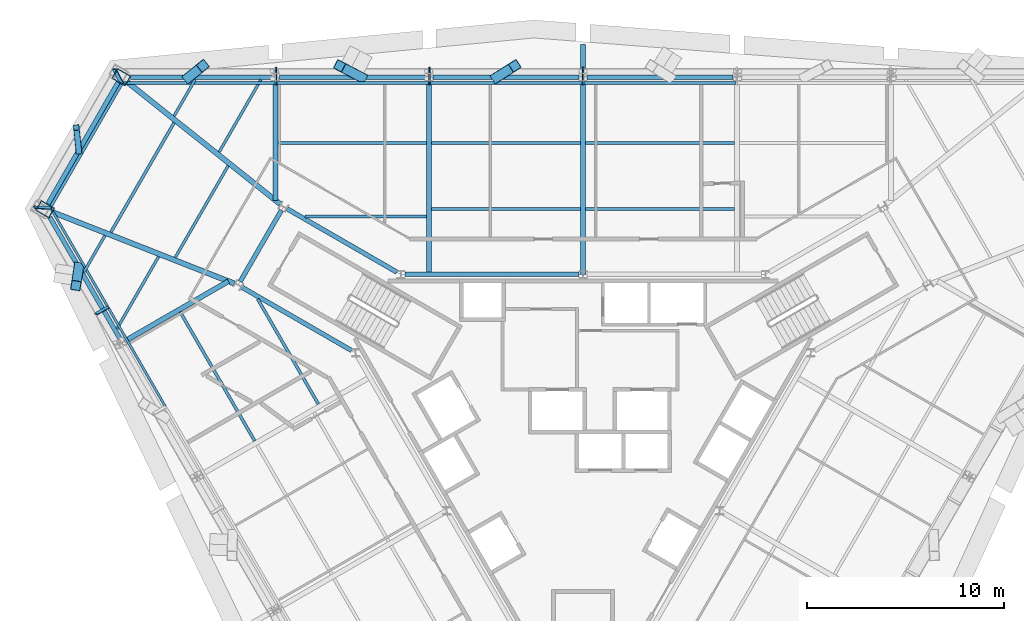
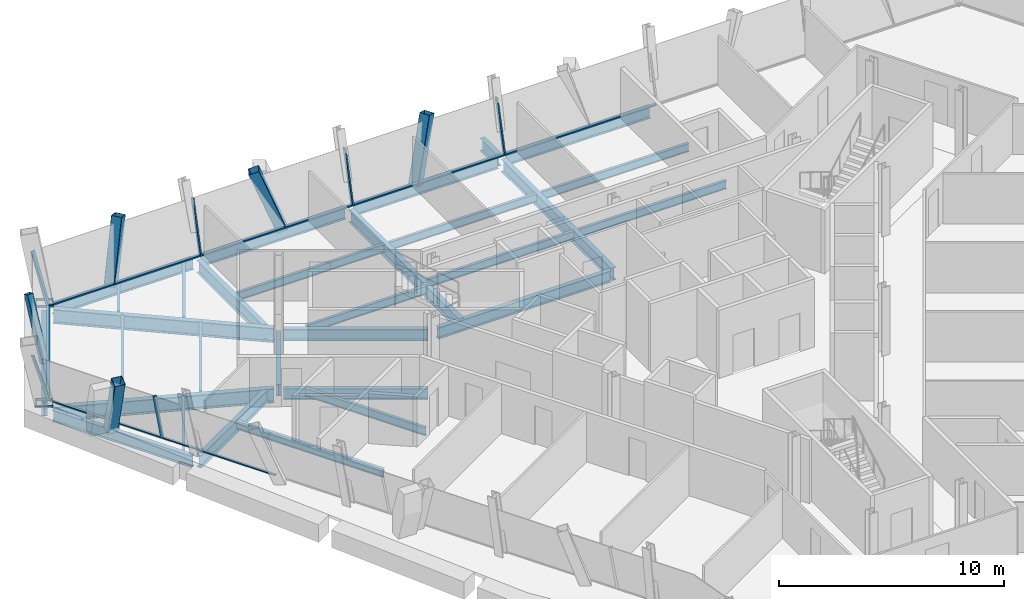
# One storey, part 4 of 12: 31 beams, 20 members, 3 elements without a shape of their own.
"""IFC4 building model written with IfcOpenShell, lengths in metres."""

from ifc_helpers import new_model, si_unit, direction, frame, origin, origin_2d, place, context, subcontext, project, spatial, rectangle, hollow_rectangle, i_section, extrude, material, material_profile, profile_set, type_object, element, aggregate, save


model = new_model("IFC4")

# Units and contexts
model_context = context("Model", 3, precision=1e-05, world=origin(), true_north=direction((0.0, 1.0)))
body_context = subcontext(model_context, "Body", "Model", "MODEL_VIEW")
ifc_project = project(units=[si_unit("LENGTHUNIT", "METRE"), si_unit("AREAUNIT", "SQUARE_METRE"), si_unit("VOLUMEUNIT", "CUBIC_METRE"), si_unit("PLANEANGLEUNIT", "RADIAN"), si_unit("MASSUNIT", "GRAM", prefix="KILO")], contexts=[model_context])

# Site, building, storey
site_placement = place(None, origin())
site = spatial("IfcSite", under=ifc_project, at=site_placement, CompositionType="ELEMENT")
building_placement = place(site_placement, origin())
building = spatial("IfcBuilding", under=site, at=building_placement, Name="Verrane Prism Tower", CompositionType="ELEMENT")
storey_placement = place(building_placement, frame((0.0, 0.0, 185.800048828125)))
storey = spatial("IfcBuildingStorey", under=building, at=storey_placement, Name="L46", CompositionType="ELEMENT", Elevation=185.800048828125)

# Member
ifc_material_1 = material(Name="Steel A500 Grade C", Category="steel")
ifc_material_profile_1 = material_profile(ifc_material_1, hollow_rectangle(XDim=0.3046875, YDim=0.3046875, WallThickness=0.0126953125, InnerFilletRadius=0.00634765625, OuterFilletRadius=0.01904296875, at=origin_2d()), Name="HSS12x12x1/2")
ifc_profile_set_1 = profile_set([ifc_material_profile_1], Name="Steel A500 Grade C")
member_type_1 = type_object("IfcMemberType", Name="Chamfer brace HSS12x12x1/2", PredefinedType="BRACE", material=ifc_profile_set_1)
member_1_placement = place(storey_placement, frame((-25.614990234375, 14.26171875, -0.24267578125), z_axis=(-0.036408998978, 0.358961961758, 0.932641782682), x_axis=(-0.994895474437, -0.100910826693, 0.0)))
element("IfcMember", 1, at=member_1_placement, inside=storey, type_object=member_type_1, Name="Chamfer brace NW0 L46", PredefinedType="BRACE", context=body_context, shape_type="SweptSolid", body=[
    extrude(hollow_rectangle(XDim=0.3046875, YDim=0.3046875, WallThickness=0.0126953125, InnerFilletRadius=0.00634765625, OuterFilletRadius=0.01904296875, at=origin_2d()), origin(), (0.0, 0.0, 1.0), 3.33251953125),
])

# Beams
ifc_material_2 = material(Name="Steel A992", Category="steel")
ifc_material_profile_2 = material_profile(ifc_material_2, i_section(OverallWidth=0.2666015625, OverallDepth=0.7568359375, WebThickness=0.013916015625, FlangeThickness=0.019287109375, FilletRadius=0.0166015625, at=origin_2d()), Name="W30x108")
ifc_profile_set_2 = profile_set([ifc_material_profile_2], Name="Steel A992")
beam_type_1 = type_object("IfcBeamType", Name="Chamfer spandrel beam W30x108", PredefinedType="SPANDREL", material=ifc_profile_set_2)
beam_1_placement = place(storey_placement, frame((-23.60009765625, 17.750244140625, -0.53857421875), z_axis=(-0.500163614961, -0.865930920033, 0.0), x_axis=(0.865930920033, -0.500163614961, 0.0)))
element("IfcBeam", 2, at=beam_1_placement, inside=storey, type_object=beam_type_1, Name="Chamfer spandrel beam L46", PredefinedType="SPANDREL", context=body_context, shape_type="SweptSolid", body=[
    extrude(i_section(OverallWidth=0.2666015625, OverallDepth=0.7568359375, WebThickness=0.013916015625, FlangeThickness=0.019287109375, FilletRadius=0.0166015625, at=origin_2d()), origin(), (0.0, 0.0, 1.0), 7.13720703125),
])
ifc_material_3 = material(Name="Steel A992", Category="steel")
ifc_material_profile_3 = material_profile(ifc_material_3, i_section(OverallWidth=0.23046875, OverallDepth=0.6171875, WebThickness=0.01318359375, FlangeThickness=0.022216796875, FilletRadius=0.012939453125, at=origin_2d()), Name="W24x94")
ifc_profile_set_3 = profile_set([ifc_material_profile_3], Name="Steel A992")
beam_type_2 = type_object("IfcBeamType", Name="Core ring girder W24x94", PredefinedType="BEAM", material=ifc_profile_set_3)
beam_2_placement = place(storey_placement, frame((-0.20068359375, 8.0, -0.55859375), z_axis=(-1.0, 0.0, 0.0), x_axis=(0.0, -1.0, 0.0)))
element("IfcBeam", 3, at=beam_2_placement, inside=storey, type_object=beam_type_2, Name="Core ring girder L46", PredefinedType="BEAM", context=body_context, shape_type="SweptSolid", body=[
    extrude(i_section(OverallWidth=0.23046875, OverallDepth=0.6171875, WebThickness=0.01318359375, FlangeThickness=0.022216796875, FilletRadius=0.012939453125, at=origin_2d()), origin(), (0.0, 0.0, 1.0), 8.858642578125),
])
beam_3_placement = place(storey_placement, frame((-9.460693359375, 8.11572265625, -0.55859375), z_axis=(-0.866075143088, 0.499913839102, 0.0), x_axis=(-0.499913839102, -0.866075143088, 0.0)))
element("IfcBeam", 4, at=beam_3_placement, inside=storey, type_object=beam_type_2, Name="Core ring girder L46", PredefinedType="BEAM", context=body_context, shape_type="SweptSolid", body=[
    extrude(i_section(OverallWidth=0.23046875, OverallDepth=0.6171875, WebThickness=0.01318359375, FlangeThickness=0.022216796875, FilletRadius=0.012939453125, at=origin_2d()), origin(), (0.0, 0.0, 1.0), 6.441650390625),
])
beam_4_placement = place(storey_placement, frame((-15.32177734375, 11.26416015625, -0.55859375), z_axis=(-0.500305747711, -0.865848808284, 0.0), x_axis=(0.865848808284, -0.500305747711, 0.0)))
element("IfcBeam", 5, at=beam_4_placement, inside=storey, type_object=beam_type_2, Name="Core ring girder L46", PredefinedType="BEAM", context=body_context, shape_type="SweptSolid", body=[
    extrude(i_section(OverallWidth=0.23046875, OverallDepth=0.6171875, WebThickness=0.01318359375, FlangeThickness=0.022216796875, FilletRadius=0.012939453125, at=origin_2d()), origin(), (0.0, 0.0, 1.0), 4.1904296875),
])
beam_5_placement = place(storey_placement, frame((-17.339599609375, 7.35595703125, -0.55859375), z_axis=(0.866075143088, -0.499913839102, 0.0), x_axis=(0.499913839102, 0.866075143088, 0.0)))
element("IfcBeam", 6, at=beam_5_placement, inside=storey, type_object=beam_type_2, Name="Core ring girder L46", PredefinedType="BEAM", context=body_context, shape_type="SweptSolid", body=[
    extrude(i_section(OverallWidth=0.23046875, OverallDepth=0.6171875, WebThickness=0.01318359375, FlangeThickness=0.022216796875, FilletRadius=0.012939453125, at=origin_2d()), origin(), (0.0, 0.0, 1.0), 6.441650390625),
])
ifc_material_4 = material(Name="Steel A992", Category="steel")
ifc_material_profile_4 = material_profile(ifc_material_4, i_section(OverallWidth=0.2666015625, OverallDepth=0.76708984375, WebThickness=0.014892578125, FlangeThickness=0.023681640625, FilletRadius=0.0166015625, at=origin_2d()), Name="W30x124")
ifc_profile_set_4 = profile_set([ifc_material_profile_4], Name="Steel A992")
beam_type_3 = type_object("IfcBeamType", Name="Corner girder W30x124", PredefinedType="BEAM", material=ifc_profile_set_4)
beam_6_placement = place(storey_placement, frame((-23.1337890625, 17.757568359375, -0.603515625), z_axis=(0.781514558867, -0.623887004415, 0.0), x_axis=(0.623887004415, 0.781514558867, 0.0)))
element("IfcBeam", 7, at=beam_6_placement, inside=storey, type_object=beam_type_3, Name="Corner girder L46", PredefinedType="BEAM", context=body_context, shape_type="SweptSolid", body=[
    extrude(i_section(OverallWidth=0.2666015625, OverallDepth=0.76708984375, WebThickness=0.014892578125, FlangeThickness=0.023681640625, FilletRadius=0.0166015625, at=origin_2d()), origin(), (0.0, 0.0, 1.0), 9.915771484375),
])
beam_7_placement = place(storey_placement, frame((-26.943603515625, 11.162109375, -0.603515625), z_axis=(0.930755085218, -0.365643229583, 0.0), x_axis=(0.365643229583, 0.930755085218, 0.0)))
element("IfcBeam", 8, at=beam_7_placement, inside=storey, type_object=beam_type_3, Name="Corner girder L46", PredefinedType="BEAM", context=body_context, shape_type="SweptSolid", body=[
    extrude(i_section(OverallWidth=0.2666015625, OverallDepth=0.76708984375, WebThickness=0.014892578125, FlangeThickness=0.023681640625, FilletRadius=0.0166015625, at=origin_2d()), origin(), (0.0, 0.0, 1.0), 9.9140625),
])

# Members
ifc_material_5 = material(Name="Steel A500 Grade C", Category="steel")
ifc_material_profile_5 = material_profile(ifc_material_5, hollow_rectangle(XDim=0.508056640625, YDim=0.508056640625, WallThickness=0.01904296875, InnerFilletRadius=0.009521484375, OuterFilletRadius=0.028564453125, at=origin_2d()), Name="HSS20x20x3/4")
ifc_profile_set_5 = profile_set([ifc_material_profile_5], Name="Steel A500 Grade C")
member_type_2 = type_object("IfcMemberType", Name="Facade brace HSS20x20x3/4", PredefinedType="BRACE", material=ifc_profile_set_5)
member_2_placement = place(storey_placement, frame((-4.395751953125, 18.010009765625, -0.216796875), z_axis=(0.273745841571, 0.173006215608, 0.946114191619), x_axis=(-0.534244851167, 0.845329781211, 0.0)))
element("IfcMember", 9, at=member_2_placement, inside=storey, type_object=member_type_2, Name="Facade brace N3 L46", PredefinedType="BRACE", context=body_context, shape_type="SweptSolid", body=[
    extrude(hollow_rectangle(XDim=0.508056640625, YDim=0.508056640625, WallThickness=0.01904296875, InnerFilletRadius=0.009521484375, OuterFilletRadius=0.028564453125, at=origin_2d()), origin(), (0.0, 0.0, 1.0), 3.37841796875),
])
member_3_placement = place(storey_placement, frame((-11.2548828125, 18.010009765625, -0.216796875), z_axis=(-0.324698573451, 0.17013096626, 0.93039039694), x_axis=(-0.464115652833, -0.885774610607, 0.0)))
element("IfcMember", 10, at=member_3_placement, inside=storey, type_object=member_type_2, Name="Facade brace N4 L46", PredefinedType="BRACE", context=body_context, shape_type="SweptSolid", body=[
    extrude(hollow_rectangle(XDim=0.508056640625, YDim=0.508056640625, WallThickness=0.01904296875, InnerFilletRadius=0.009521484375, OuterFilletRadius=0.028564453125, at=origin_2d()), origin(), (0.0, 0.0, 1.0), 3.435546875),
])
member_4_placement = place(storey_placement, frame((-20.041259765625, 18.010009765625, -0.216796875), z_axis=(0.218357446262, 0.175536509856, 0.959951540115), x_axis=(-0.62654444333, 0.779385694334, 0.0)))
element("IfcMember", 11, at=member_4_placement, inside=storey, type_object=member_type_2, Name="Facade brace N5 L46", PredefinedType="BRACE", context=body_context, shape_type="SweptSolid", body=[
    extrude(hollow_rectangle(XDim=0.508056640625, YDim=0.508056640625, WallThickness=0.01904296875, InnerFilletRadius=0.009521484375, OuterFilletRadius=0.028564453125, at=origin_2d()), origin(), (0.0, 0.0, 1.0), 3.32958984375),
])
member_5_placement = place(storey_placement, frame((-25.615478515625, 8.35888671875, -0.216796875), z_axis=(-0.044053464311, -0.2777347359, 0.95964717931), x_axis=(0.987652818855, -0.156658575912, 0.0)))
element("IfcMember", 12, at=member_5_placement, inside=storey, type_object=member_type_2, Name="Facade brace SW0 L46", PredefinedType="BRACE", context=body_context, shape_type="SweptSolid", body=[
    extrude(hollow_rectangle(XDim=0.508056640625, YDim=0.508056640625, WallThickness=0.01904296875, InnerFilletRadius=0.009521484375, OuterFilletRadius=0.028564453125, at=origin_2d()), origin(), (0.0, 0.0, 1.0), 3.330810546875),
])

# Beams
ifc_material_6 = material(Name="Steel A992", Category="steel")
ifc_material_profile_6 = material_profile(ifc_material_6, i_section(OverallWidth=0.140380859375, OverallDepth=0.40380859375, WebThickness=0.007080078125, FlangeThickness=0.01123046875, FilletRadius=0.01025390625, at=origin_2d()), Name="W16x31")
ifc_profile_set_6 = profile_set([ifc_material_profile_6], Name="Steel A992")
beam_type_4 = type_object("IfcBeamType", Name="Floor beam W16x31", PredefinedType="BEAM", material=ifc_profile_set_6)
beam_8_placement = place(storey_placement, frame((-18.4853515625, 14.21923828125, -0.362060546875), z_axis=(0.49997473417, 0.866039990527, 0.0), x_axis=(-0.866039990527, 0.49997473417, 0.0)))
element("IfcBeam", 13, at=beam_8_placement, inside=storey, type_object=beam_type_4, Name="Floor beam L46", PredefinedType="BEAM", context=body_context, shape_type="SweptSolid", body=[
    extrude(i_section(OverallWidth=0.140380859375, OverallDepth=0.40380859375, WebThickness=0.007080078125, FlangeThickness=0.01123046875, FilletRadius=0.01025390625, at=origin_2d()), origin(), (0.0, 0.0, 1.0), 4.244384765625),
])
beam_9_placement = place(storey_placement, frame((-20.77587890625, 16.046875, -0.362060546875), z_axis=(0.500039335303, 0.866002692346, 0.0), x_axis=(-0.866002692346, 0.500039335303, 0.0)))
element("IfcBeam", 14, at=beam_9_placement, inside=storey, type_object=beam_type_4, Name="Floor beam L46", PredefinedType="BEAM", context=body_context, shape_type="SweptSolid", body=[
    extrude(i_section(OverallWidth=0.140380859375, OverallDepth=0.40380859375, WebThickness=0.007080078125, FlangeThickness=0.01123046875, FilletRadius=0.01025390625, at=origin_2d()), origin(), (0.0, 0.0, 1.0), 2.134033203125),
])
beam_10_placement = place(storey_placement, frame((-23.6796875, 5.23681640625, -0.362060546875), z_axis=(0.500023792618, 0.866011666674, 0.0), x_axis=(-0.866011666674, 0.500023792618, 0.0)))
element("IfcBeam", 15, at=beam_10_placement, inside=storey, type_object=beam_type_4, Name="Floor beam L46", PredefinedType="BEAM", context=body_context, shape_type="SweptSolid", body=[
    extrude(i_section(OverallWidth=0.140380859375, OverallDepth=0.40380859375, WebThickness=0.007080078125, FlangeThickness=0.01123046875, FilletRadius=0.01025390625, at=origin_2d()), origin(), (0.0, 0.0, 1.0), 4.231201171875),
])
beam_11_placement = place(storey_placement, frame((-25.35107421875, 8.130859375, -0.362060546875), z_axis=(0.499941024108, 0.866059450854, 0.0), x_axis=(-0.866059450854, 0.499941024108, 0.0)))
element("IfcBeam", 16, at=beam_11_placement, inside=storey, type_object=beam_type_4, Name="Floor beam L46", PredefinedType="BEAM", context=body_context, shape_type="SweptSolid", body=[
    extrude(i_section(OverallWidth=0.140380859375, OverallDepth=0.40380859375, WebThickness=0.007080078125, FlangeThickness=0.01123046875, FilletRadius=0.01025390625, at=origin_2d()), origin(), (0.0, 0.0, 1.0), 2.127197265625),
])
beam_12_placement = place(storey_placement, frame((-20.72021484375, 8.856201171875, -0.362060546875), z_axis=(0.500019726309, 0.866014014495, 0.0), x_axis=(-0.866014014495, 0.500019726309, 0.0)))
element("IfcBeam", 17, at=beam_12_placement, inside=storey, type_object=beam_type_4, Name="Floor beam L46", PredefinedType="BEAM", context=body_context, shape_type="SweptSolid", body=[
    extrude(i_section(OverallWidth=0.140380859375, OverallDepth=0.40380859375, WebThickness=0.007080078125, FlangeThickness=0.01123046875, FilletRadius=0.01025390625, at=origin_2d()), origin(), (0.0, 0.0, 1.0), 5.379150390625),
])
ifc_material_7 = material(Name="Steel A992", Category="steel")
ifc_material_profile_7 = material_profile(ifc_material_7, i_section(OverallWidth=0.15234375, OverallDepth=0.449462890625, WebThickness=0.007568359375, FlangeThickness=0.0107421875, FilletRadius=0.01025390625, at=origin_2d()), Name="W18x35")
ifc_profile_set_7 = profile_set([ifc_material_profile_7], Name="Steel A992")
beam_type_5 = type_object("IfcBeamType", Name="Floor beam W18x35", PredefinedType="BEAM", material=ifc_profile_set_7)
for number, where, z_axis, x_axis, name in (
    (18, (0.126953125, 11.336669921875, -0.384765625), (1.0, 0.0, 0.0), (0.0, 1.0, 0.0), "Floor beam L46"),
    (19, (0.126953125, 14.67333984375, -0.384765625), (1.0, 0.0, 0.0), (0.0, 1.0, 0.0), "Floor beam L46"),
    (20, (-7.693115234375, 11.336669921875, -0.384765625), (1.0, 0.0, 0.0), (0.0, 1.0, 0.0), "Floor beam L46"),
    (21, (-7.693115234375, 14.67333984375, -0.384765625), (1.0, 0.0, 0.0), (0.0, 1.0, 0.0), "Floor beam L46"),
):
    element("IfcBeam", number, at=place(storey_placement, frame(where, z_axis=z_axis, x_axis=x_axis)), inside=storey, type_object=beam_type_5, Name=name, PredefinedType="BEAM", context=body_context, shape_type="SweptSolid", body=[
        extrude(i_section(OverallWidth=0.15234375, OverallDepth=0.449462890625, WebThickness=0.007568359375, FlangeThickness=0.0107421875, FilletRadius=0.01025390625, at=origin_2d()), origin(), (0.0, 0.0, 1.0), 7.566162109375),
    ])
beam_13_placement = place(storey_placement, frame((-14.117919921875, 10.936767578125, -0.384765625), z_axis=(1.0, 0.0, 0.0), x_axis=(0.0, 1.0, 0.0)))
element("IfcBeam", 22, at=beam_13_placement, inside=storey, type_object=beam_type_5, Name="Floor beam L46", PredefinedType="BEAM", context=body_context, shape_type="SweptSolid", body=[
    extrude(i_section(OverallWidth=0.15234375, OverallDepth=0.449462890625, WebThickness=0.007568359375, FlangeThickness=0.0107421875, FilletRadius=0.01025390625, at=origin_2d()), origin(), (0.0, 0.0, 1.0), 6.1708984375),
])
beam_14_placement = place(storey_placement, frame((-15.5029296875, 14.67333984375, -0.384765625), z_axis=(1.0, 0.0, 0.0), x_axis=(0.0, 1.0, 0.0)))
element("IfcBeam", 23, at=beam_14_placement, inside=storey, type_object=beam_type_5, Name="Floor beam L46", PredefinedType="BEAM", context=body_context, shape_type="SweptSolid", body=[
    extrude(i_section(OverallWidth=0.15234375, OverallDepth=0.449462890625, WebThickness=0.007568359375, FlangeThickness=0.0107421875, FilletRadius=0.01025390625, at=origin_2d()), origin(), (0.0, 0.0, 1.0), 7.555908203125),
])
beam_15_placement = place(storey_placement, frame((-13.446044921875, 1.41357421875, -0.384765625), z_axis=(-0.500025052272, 0.866010939365, 0.0), x_axis=(-0.866010939365, -0.500025052272, 0.0)))
element("IfcBeam", 24, at=beam_15_placement, inside=storey, type_object=beam_type_5, Name="Floor beam L46", PredefinedType="BEAM", context=body_context, shape_type="SweptSolid", body=[
    extrude(i_section(OverallWidth=0.15234375, OverallDepth=0.449462890625, WebThickness=0.007568359375, FlangeThickness=0.0107421875, FilletRadius=0.01025390625, at=origin_2d()), origin(), (0.0, 0.0, 1.0), 6.169189453125),
])
beam_16_placement = place(storey_placement, frame((-16.68310546875, -0.453125, -0.384765625), z_axis=(-0.499994554566, 0.866028547684, 0.0), x_axis=(-0.866028547684, -0.499994554566, 0.0)))
element("IfcBeam", 25, at=beam_16_placement, inside=storey, type_object=beam_type_5, Name="Floor beam L46", PredefinedType="BEAM", context=body_context, shape_type="SweptSolid", body=[
    extrude(i_section(OverallWidth=0.15234375, OverallDepth=0.449462890625, WebThickness=0.007568359375, FlangeThickness=0.0107421875, FilletRadius=0.01025390625, at=origin_2d()), origin(), (0.0, 0.0, 1.0), 7.5595703125),
])
beam_17_placement = place(storey_placement, frame((-23.986328125, 10.1416015625, -0.384765625), z_axis=(0.500002112793, 0.866024183959, 0.0), x_axis=(-0.866024183959, 0.500002112793, 0.0)))
element("IfcBeam", 26, at=beam_17_placement, inside=storey, type_object=beam_type_5, Name="Floor beam L46", PredefinedType="BEAM", context=body_context, shape_type="SweptSolid", body=[
    extrude(i_section(OverallWidth=0.15234375, OverallDepth=0.449462890625, WebThickness=0.007568359375, FlangeThickness=0.0107421875, FilletRadius=0.01025390625, at=origin_2d()), origin(), (0.0, 0.0, 1.0), 6.42333984375),
])

# Members
ifc_material_8 = material(Name="Steel A572 Grade 50", Category="steel")
ifc_material_profile_8 = material_profile(ifc_material_8, hollow_rectangle(XDim=0.60009765625, YDim=0.800048828125, WallThickness=0.050048828125, at=origin_2d()), Name="BOX 800x600x50")
ifc_profile_set_8 = profile_set([ifc_material_profile_8], Name="Steel A572 Grade 50")
member_type_3 = type_object("IfcMemberType", Name="Kink node BOX 800x600x50", PredefinedType="COLLAR", material=ifc_profile_set_8)
for number, where, z_axis, x_axis, name in (
    (27, (-23.45361328125, 18.01611328125, -0.06494140625), (0.0, 0.0, 1.0), (0.5, 0.866025403784, 0.0), "Kink node MC4 L46"),
    (28, (-27.3271484375, 11.31005859375, -0.06494140625), (0.0, 0.0, 1.0), (0.5, 0.866025403784, 0.0), "Kink node MC4 L46"),
):
    element("IfcMember", number, at=place(storey_placement, frame(where, z_axis=z_axis, x_axis=x_axis)), inside=storey, type_object=member_type_3, Name=name, PredefinedType="COLLAR", context=body_context, shape_type="SweptSolid", body=[
        extrude(hollow_rectangle(XDim=0.60009765625, YDim=0.800048828125, WallThickness=0.050048828125, at=origin_2d()), origin(), (0.0, 0.0, 1.0), 0.1298828125),
    ])

# Curtain wall, members
ifc_material_9 = material(Name="Aluminium framed insulated glazing", Category="aluminium")
curtain_wall_type_1 = type_object("IfcCurtainWallType", Name="Curtain wall CW-B 5600 module", PredefinedType="NOTDEFINED", material=ifc_material_9)
curtain_wall_1_placement = place(storey_placement, origin())
curtain_wall_1 = element("IfcCurtainWall", 29, at=curtain_wall_1_placement, inside=storey, type_object=curtain_wall_type_1, Name="Glazed curtain wall south-west face L46", PredefinedType="NOTDEFINED")
ifc_material_10 = material(Name="Aluminium alloy 6063-T6", Category="aluminium")
ifc_material_profile_9 = material_profile(ifc_material_10, rectangle(XDim=0.159912109375, YDim=0.06005859375, at=origin_2d()), Name="Mullion 60x160 aluminium")
ifc_profile_set_9 = profile_set([ifc_material_profile_9], Name="Aluminium alloy 6063-T6")
member_type_4 = type_object("IfcMemberType", Name="Mullion 60x160 aluminium", PredefinedType="MULLION", material=ifc_profile_set_9)
member_6_placement = place(storey_placement, frame((-27.044677734375, 11.380859375, 0.0), z_axis=(-0.290446746765, 0.00921369757, 0.956846798119), x_axis=(0.45072361975, -0.880759453934, 0.145296259088)))
member_6 = element("IfcMember", 30, at=member_6_placement, type_object=member_type_4, Name="CW44.4 mullion 1", PredefinedType="MULLION", context=body_context, shape_type="SweptSolid", body=[
    extrude(rectangle(XDim=0.159912109375, YDim=0.06005859375, at=origin_2d()), origin(), (0.0, 0.0, 1.0), 2.835205078125),
])
member_7_placement = place(storey_placement, frame((-24.133544921875, 6.338623046875, 0.0), z_axis=(-0.216450317663, -0.124868480358, 0.968275334085), x_axis=(0.852113285445, -0.508224620767, 0.124942721336)))
member_7 = element("IfcMember", 31, at=member_7_placement, type_object=member_type_4, Name="CW44.4 mullion 2", PredefinedType="MULLION", context=body_context, shape_type="SweptSolid", body=[
    extrude(rectangle(XDim=0.159912109375, YDim=0.06005859375, at=origin_2d()), origin(), (0.0, 0.0, 1.0), 2.8017578125),
])

ifc_material_11 = material(Name="Aluminium framed insulated glazing", Category="aluminium")
curtain_wall_type_2 = type_object("IfcCurtainWallType", Name="Curtain wall CW-A 8400 module", PredefinedType="NOTDEFINED", material=ifc_material_11)
curtain_wall_2_placement = place(storey_placement, origin())
curtain_wall_2 = element("IfcCurtainWall", 32, at=curtain_wall_2_placement, inside=storey, type_object=curtain_wall_type_2, Name="Glazed curtain wall north face L46", PredefinedType="NOTDEFINED")
ifc_material_12 = material(Name="Aluminium alloy 6063-T6", Category="aluminium")
ifc_material_profile_10 = material_profile(ifc_material_12, rectangle(XDim=0.199951171875, YDim=0.070068359375, at=origin_2d()), Name="Mullion 70x200 aluminium")
ifc_profile_set_10 = profile_set([ifc_material_profile_10], Name="Aluminium alloy 6063-T6")
member_type_5 = type_object("IfcMemberType", Name="Mullion 70x200 aluminium", PredefinedType="MULLION", material=ifc_profile_set_10)
member_8_placement = place(storey_placement, frame((0.0, 17.73095703125, 0.0), z_axis=(0.0, 0.249827945556, 0.968290244513), x_axis=(0.0, 0.968290244513, -0.249827945556)))
member_8 = element("IfcMember", 33, at=member_8_placement, type_object=member_type_5, Name="CW44.2 mullion 4", PredefinedType="MULLION", context=body_context, shape_type="SweptSolid", body=[
    extrude(rectangle(XDim=0.199951171875, YDim=0.070068359375, at=origin_2d()), origin(), (0.0, 0.0, 1.0), 2.8017578125),
])
member_9_placement = place(storey_placement, frame((-7.802734375, 17.73095703125, 0.0), z_axis=(0.0, 0.249827945556, 0.968290244513), x_axis=(0.0, 0.968290244513, -0.249827945556)))
member_9 = element("IfcMember", 34, at=member_9_placement, type_object=member_type_5, Name="CW44.2 mullion 5", PredefinedType="MULLION", context=body_context, shape_type="SweptSolid", body=[
    extrude(rectangle(XDim=0.199951171875, YDim=0.070068359375, at=origin_2d()), origin(), (0.0, 0.0, 1.0), 2.8017578125),
])
member_10_placement = place(storey_placement, frame((-15.605712890625, 17.73095703125, 0.0), z_axis=(0.0, 0.249827945556, 0.968290244513), x_axis=(0.0, 0.968290244513, -0.249827945556)))
member_10 = element("IfcMember", 35, at=member_10_placement, type_object=member_type_5, Name="CW44.2 mullion 6", PredefinedType="MULLION", context=body_context, shape_type="SweptSolid", body=[
    extrude(rectangle(XDim=0.199951171875, YDim=0.070068359375, at=origin_2d()), origin(), (0.0, 0.0, 1.0), 2.8017578125),
])

# Curtain wall, member
curtain_wall_3_placement = place(storey_placement, origin())
curtain_wall_3 = element("IfcCurtainWall", 36, at=curtain_wall_3_placement, inside=storey, type_object=curtain_wall_type_2, Name="Glazed curtain wall north-west corner L46", PredefinedType="NOTDEFINED")
member_11_placement = place(storey_placement, frame((-23.42578125, 17.70068359375, 0.0), z_axis=(-0.136532491264, 0.257483405656, 0.956588299448), x_axis=(-0.989181955206, 0.016857230788, -0.145721972484)))
member_11 = element("IfcMember", 37, at=member_11_placement, type_object=member_type_5, Name="CW44.3 mullion 1", PredefinedType="MULLION", context=body_context, shape_type="SweptSolid", body=[
    extrude(rectangle(XDim=0.199951171875, YDim=0.070068359375, at=origin_2d()), origin(), (0.0, 0.0, 1.0), 2.8359375),
])

# Beams
ifc_material_13 = material(Name="Steel A992", Category="steel")
ifc_material_profile_11 = material_profile(ifc_material_13, i_section(OverallWidth=0.25390625, OverallDepth=0.683349609375, WebThickness=0.012451171875, FlangeThickness=0.01904296875, FilletRadius=0.01513671875, at=origin_2d()), Name="W27x94")
ifc_profile_set_11 = profile_set([ifc_material_profile_11], Name="Steel A992")
beam_type_6 = type_object("IfcBeamType", Name="Radial girder W27x94", PredefinedType="BEAM", material=ifc_profile_set_11)
for number, where, z_axis, x_axis, name in (
    (38, (0.0, 17.8017578125, -0.561767578125), (0.0, -1.0, 0.0), (1.0, 0.0, 0.0), "Radial girder L46"),
    (39, (-7.820068359375, 17.8017578125, -0.561767578125), (0.0, -1.0, 0.0), (1.0, 0.0, 0.0), "Radial girder L46"),
):
    element("IfcBeam", number, at=place(storey_placement, frame(where, z_axis=z_axis, x_axis=x_axis)), inside=storey, type_object=beam_type_6, Name=name, PredefinedType="BEAM", context=body_context, shape_type="SweptSolid", body=[
        extrude(i_section(OverallWidth=0.25390625, OverallDepth=0.683349609375, WebThickness=0.012451171875, FlangeThickness=0.01904296875, FilletRadius=0.01513671875, at=origin_2d()), origin(), (0.0, 0.0, 1.0), 9.8017578125),
    ])
beam_18_placement = place(storey_placement, frame((-15.6298828125, 17.8017578125, -0.561767578125), z_axis=(0.0, -1.0, 0.0), x_axis=(1.0, 0.0, 0.0)))
element("IfcBeam", 40, at=beam_18_placement, inside=storey, type_object=beam_type_6, Name="Radial girder L46", PredefinedType="BEAM", context=body_context, shape_type="SweptSolid", body=[
    extrude(i_section(OverallWidth=0.25390625, OverallDepth=0.683349609375, WebThickness=0.012451171875, FlangeThickness=0.01904296875, FilletRadius=0.01513671875, at=origin_2d()), origin(), (0.0, 0.0, 1.0), 6.034423828125),
])
beam_19_placement = place(storey_placement, frame((-23.2294921875, 4.64404296875, -0.561767578125), z_axis=(0.866016092368, 0.500016127499, 0.0), x_axis=(-0.500016127499, 0.866016092368, 0.0)))
element("IfcBeam", 41, at=beam_19_placement, inside=storey, type_object=beam_type_6, Name="Radial girder L46", PredefinedType="BEAM", context=body_context, shape_type="SweptSolid", body=[
    extrude(i_section(OverallWidth=0.25390625, OverallDepth=0.683349609375, WebThickness=0.012451171875, FlangeThickness=0.01904296875, FilletRadius=0.01513671875, at=origin_2d()), origin(), (0.0, 0.0, 1.0), 6.020751953125),
])
beam_20_placement = place(storey_placement, frame((0.0, 18.21435546875, -0.561767578125), z_axis=(0.0, 1.0, 0.0), x_axis=(-1.0, 0.0, 0.0)))
element("IfcBeam", 42, at=beam_20_placement, inside=storey, type_object=beam_type_6, Name="Cantilever girder L46", PredefinedType="BEAM", context=body_context, shape_type="SweptSolid", body=[
    extrude(i_section(OverallWidth=0.25390625, OverallDepth=0.683349609375, WebThickness=0.012451171875, FlangeThickness=0.01904296875, FilletRadius=0.01513671875, at=origin_2d()), origin(), (0.0, 0.0, 1.0), 1.467529296875),
])
ifc_material_14 = material(Name="Steel A992", Category="steel")
ifc_material_profile_12 = material_profile(ifc_material_14, i_section(OverallWidth=0.23046875, OverallDepth=0.6171875, WebThickness=0.01318359375, FlangeThickness=0.022216796875, FilletRadius=0.012939453125, at=origin_2d()), Name="W24x94")
ifc_profile_set_12 = profile_set([ifc_material_profile_12], Name="Steel A992")
beam_type_7 = type_object("IfcBeamType", Name="Spandrel beam W24x94", PredefinedType="SPANDREL", material=ifc_profile_set_12)
for number, where, z_axis, x_axis, name in (
    (43, (7.61669921875, 18.010009765625, -0.46875), (-1.0, 0.0, 0.0), (0.0, -1.0, 0.0), "Spandrel beam L46"),
    (44, (-0.203125, 18.010009765625, -0.46875), (-1.0, 0.0, 0.0), (0.0, -1.0, 0.0), "Spandrel beam L46"),
):
    element("IfcBeam", number, at=place(storey_placement, frame(where, z_axis=z_axis, x_axis=x_axis)), inside=storey, type_object=beam_type_7, Name=name, PredefinedType="SPANDREL", context=body_context, shape_type="SweptSolid", body=[
        extrude(i_section(OverallWidth=0.23046875, OverallDepth=0.6171875, WebThickness=0.01318359375, FlangeThickness=0.022216796875, FilletRadius=0.012939453125, at=origin_2d()), origin(), (0.0, 0.0, 1.0), 7.41357421875),
    ])
beam_21_placement = place(storey_placement, frame((-8.023193359375, 18.010009765625, -0.46875), z_axis=(-1.0, 0.0, 0.0), x_axis=(0.0, -1.0, 0.0)))
element("IfcBeam", 45, at=beam_21_placement, inside=storey, type_object=beam_type_7, Name="Spandrel beam L46", PredefinedType="SPANDREL", context=body_context, shape_type="SweptSolid", body=[
    extrude(i_section(OverallWidth=0.23046875, OverallDepth=0.6171875, WebThickness=0.01318359375, FlangeThickness=0.022216796875, FilletRadius=0.012939453125, at=origin_2d()), origin(), (0.0, 0.0, 1.0), 7.403564453125),
])
beam_22_placement = place(storey_placement, frame((-15.833251953125, 18.010009765625, -0.46875), z_axis=(-1.0, 0.0, 0.0), x_axis=(0.0, -1.0, 0.0)))
element("IfcBeam", 46, at=beam_22_placement, inside=storey, type_object=beam_type_7, Name="Spandrel beam L46", PredefinedType="SPANDREL", context=body_context, shape_type="SweptSolid", body=[
    extrude(i_section(OverallWidth=0.23046875, OverallDepth=0.6171875, WebThickness=0.01318359375, FlangeThickness=0.022216796875, FilletRadius=0.012939453125, at=origin_2d()), origin(), (0.0, 0.0, 1.0), 7.15478515625),
])
beam_23_placement = place(storey_placement, frame((-27.089111328125, 10.91015625, -0.46875), z_axis=(0.500129173379, -0.865950812653, 0.0), x_axis=(0.865950812653, 0.500129173379, 0.0)))
element("IfcBeam", 47, at=beam_23_placement, inside=storey, type_object=beam_type_7, Name="Spandrel beam L46", PredefinedType="SPANDREL", context=body_context, shape_type="SweptSolid", body=[
    extrude(i_section(OverallWidth=0.23046875, OverallDepth=0.6171875, WebThickness=0.01318359375, FlangeThickness=0.022216796875, FilletRadius=0.012939453125, at=origin_2d()), origin(), (0.0, 0.0, 1.0), 7.15283203125),
])

# Member
ifc_material_15 = material(Name="Aluminium alloy 6063-T6", Category="aluminium")
ifc_material_profile_13 = material_profile(ifc_material_15, rectangle(XDim=0.1201171875, YDim=0.06005859375, at=origin_2d()), Name="Transom 60x120 aluminium")
ifc_profile_set_13 = profile_set([ifc_material_profile_13], Name="Aluminium alloy 6063-T6")
member_type_6 = type_object("IfcMemberType", Name="Transom 60x120 aluminium", PredefinedType="USERDEFINED", material=ifc_profile_set_13)
member_12_placement = place(storey_placement, frame((-27.02978515625, 11.354736328125, 0.030029296875), z_axis=(0.500017091667, -0.866015535681, 0.0), x_axis=(0.866015535681, 0.500017091667, 0.0)))
member_12 = element("IfcMember", 48, at=member_12_placement, type_object=member_type_6, Name="CW44.4 transom 1", ObjectType="TRANSOM", PredefinedType="USERDEFINED", context=body_context, shape_type="SweptSolid", body=[
    extrude(rectangle(XDim=0.1201171875, YDim=0.06005859375, at=origin_2d()), origin(), (0.0, 0.0, 1.0), 5.761962890625),
])

member_13_placement = place(storey_placement, frame((-24.11865234375, 6.312744140625, 0.030029296875), z_axis=(0.499992456128, -0.866029759197, 0.0), x_axis=(0.866029759197, 0.499992456128, 0.0)))
member_13 = element("IfcMember", 49, at=member_13_placement, type_object=member_type_6, Name="CW44.4 transom 2", ObjectType="TRANSOM", PredefinedType="USERDEFINED", context=body_context, shape_type="SweptSolid", body=[
    extrude(rectangle(XDim=0.1201171875, YDim=0.06005859375, at=origin_2d()), origin(), (0.0, 0.0, 1.0), 5.7919921875),
])

aggregate(curtain_wall_1, [member_6, member_7, member_12, member_13])

ifc_material_16 = material(Name="Aluminium alloy 6063-T6", Category="aluminium")
ifc_material_profile_14 = material_profile(ifc_material_16, rectangle(XDim=0.14990234375, YDim=0.070068359375, at=origin_2d()), Name="Transom 70x150 aluminium")
ifc_profile_set_14 = profile_set([ifc_material_profile_14], Name="Aluminium alloy 6063-T6")
member_type_7 = type_object("IfcMemberType", Name="Transom 70x150 aluminium", PredefinedType="USERDEFINED", material=ifc_profile_set_14)
member_14_placement = place(storey_placement, frame((7.767822265625, 17.73095703125, 0.034912109375), z_axis=(-1.0, 0.0, 0.0), x_axis=(0.0, -1.0, 0.0)))
member_14 = element("IfcMember", 50, at=member_14_placement, type_object=member_type_7, Name="CW44.2 transom 3", ObjectType="TRANSOM", PredefinedType="USERDEFINED", context=body_context, shape_type="SweptSolid", body=[
    extrude(rectangle(XDim=0.14990234375, YDim=0.070068359375, at=origin_2d()), origin(), (0.0, 0.0, 1.0), 7.73291015625),
])

member_15_placement = place(storey_placement, frame((-0.034912109375, 17.73095703125, 0.034912109375), z_axis=(-1.0, 0.0, 0.0), x_axis=(0.0, -1.0, 0.0)))
member_15 = element("IfcMember", 51, at=member_15_placement, type_object=member_type_7, Name="CW44.2 transom 4", ObjectType="TRANSOM", PredefinedType="USERDEFINED", context=body_context, shape_type="SweptSolid", body=[
    extrude(rectangle(XDim=0.14990234375, YDim=0.070068359375, at=origin_2d()), origin(), (0.0, 0.0, 1.0), 7.73291015625),
])

member_16_placement = place(storey_placement, frame((-7.837890625, 17.73095703125, 0.034912109375), z_axis=(-1.0, 0.0, 0.0), x_axis=(0.0, -1.0, 0.0)))
member_16 = element("IfcMember", 52, at=member_16_placement, type_object=member_type_7, Name="CW44.2 transom 5", ObjectType="TRANSOM", PredefinedType="USERDEFINED", context=body_context, shape_type="SweptSolid", body=[
    extrude(rectangle(XDim=0.14990234375, YDim=0.070068359375, at=origin_2d()), origin(), (0.0, 0.0, 1.0), 7.732666015625),
])

member_17_placement = place(storey_placement, frame((-15.640625, 17.73095703125, 0.034912109375), z_axis=(-1.0, 0.0, 0.0), x_axis=(0.0, -1.0, 0.0)))
member_17 = element("IfcMember", 53, at=member_17_placement, type_object=member_type_7, Name="CW44.2 transom 6", ObjectType="TRANSOM", PredefinedType="USERDEFINED", context=body_context, shape_type="SweptSolid", body=[
    extrude(rectangle(XDim=0.14990234375, YDim=0.070068359375, at=origin_2d()), origin(), (0.0, 0.0, 1.0), 7.767822265625),
])

aggregate(curtain_wall_2, [member_8, member_9, member_10, member_14, member_15, member_16, member_17])

member_18_placement = place(storey_placement, frame((-23.443359375, 17.67041015625, 0.034912109375), z_axis=(-0.500012695882, -0.866018073689, 0.0), x_axis=(0.866018073689, -0.500012695882, 0.0)))
member_18 = element("IfcMember", 54, at=member_18_placement, type_object=member_type_7, Name="CW44.3 transom 1", ObjectType="TRANSOM", PredefinedType="USERDEFINED", context=body_context, shape_type="SweptSolid", body=[
    extrude(rectangle(XDim=0.14990234375, YDim=0.070068359375, at=origin_2d()), origin(), (0.0, 0.0, 1.0), 7.232666015625),
])

aggregate(curtain_wall_3, [member_11, member_18])

save(model, "model.ifc")
